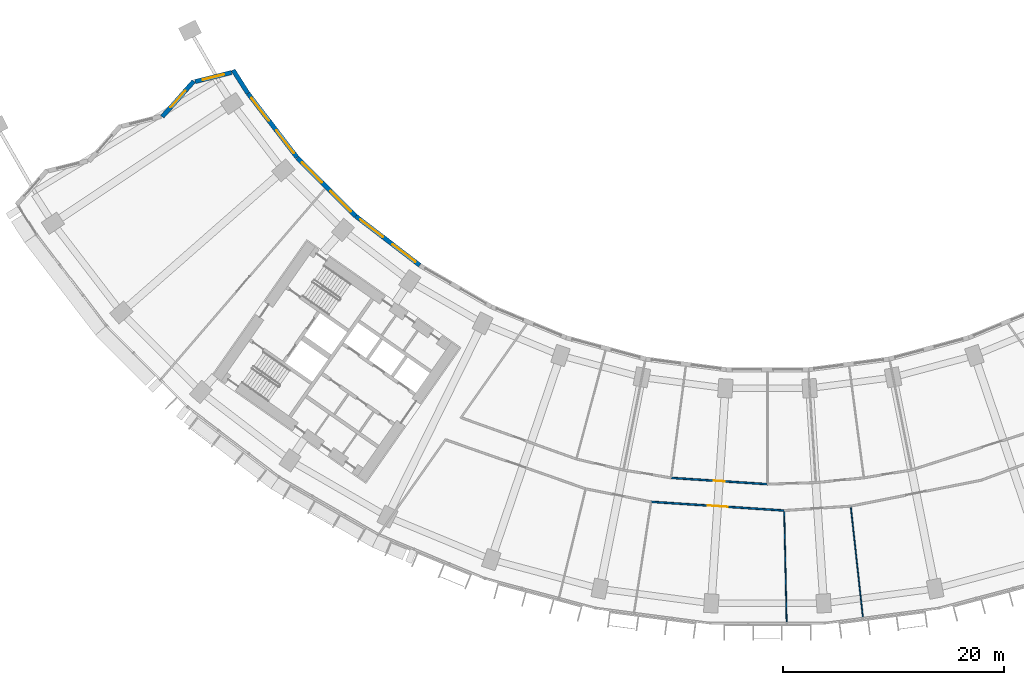
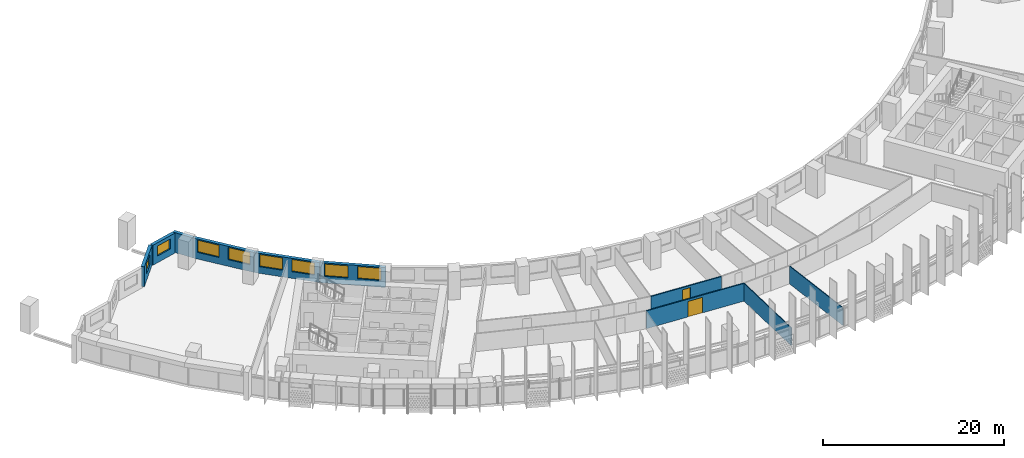
# One storey, part 5 of 33: 10 walls, 8 windows, 2 doors, 10 openings.
"""IFC4 building model written with IfcOpenShell, lengths in metres."""

from ifc_helpers import new_model, si_unit, direction, frame, frame_2d, origin, place, context, subcontext, project, spatial, rectangle, extrude, material, layer, layer_set, type_object, element, fill, save


model = new_model("IFC4")

# Units and contexts
model_context = context("Model", 3, precision=1e-05, world=origin(), true_north=direction((0.0, 1.0)))
body_context = subcontext(model_context, "Body", "Model", "MODEL_VIEW")
ifc_project = project(units=[si_unit("LENGTHUNIT", "METRE"), si_unit("AREAUNIT", "SQUARE_METRE"), si_unit("VOLUMEUNIT", "CUBIC_METRE"), si_unit("PLANEANGLEUNIT", "RADIAN"), si_unit("MASSUNIT", "GRAM", prefix="KILO")], contexts=[model_context])

# Site, building, storey
site_placement = place(None, origin())
site = spatial("IfcSite", under=ifc_project, at=site_placement, CompositionType="ELEMENT")
building_placement = place(site_placement, origin())
building = spatial("IfcBuilding", under=site, at=building_placement, Name="Qamariyya Broadcast Tower", CompositionType="ELEMENT")
storey_placement = place(building_placement, frame((0.0, 0.0, 78.5)))
storey = spatial("IfcBuildingStorey", under=building, at=storey_placement, Name="L16", CompositionType="ELEMENT", Elevation=78.5)

# Wall, opening, door
ifc_material_1 = material(Name="Gypsum board partition")
ifc_layer_1 = layer(ifc_material_1, 0.14990234375)
ifc_layer_set_1 = layer_set([ifc_layer_1], Name="Corridor partition 150 EI 60")
wall_type_1 = type_object("IfcWallType", Name="Corridor partition 150 EI 60", PredefinedType="PARTITIONING", material=ifc_layer_set_1)
wall_1_placement = place(storey_placement, frame((1.511474609375, -69.18359375, 0.0), z_axis=(0.0, 0.0, 1.0), x_axis=(-0.997858140049, 0.065415077291, 0.0)))
wall_1 = element("IfcWall", 1, at=wall_1_placement, inside=storey, type_object=wall_type_1, Name="Partition L16-013", PredefinedType="PARTITIONING", context=body_context, shape_type="SweptSolid", body=[
    extrude(rectangle(XDim=12.066162109375, YDim=0.14990234375, at=frame_2d((6.033203125, 0.0))), origin(), (0.0, 0.0, 1.0), 2.39990234375),
])
opening_1_placement = place(wall_1_placement, frame((5.133056640625, 0.0, 0.0)))
opening_1 = element("IfcOpeningElement", 2, at=opening_1_placement, cuts=wall_1, Name="Opening L16-D03", PredefinedType="OPENING", context=body_context, shape_type="SweptSolid", body=[
    extrude(rectangle(XDim=1.800048828125, YDim=2.10009765625, at=frame_2d((0.89990234375, 1.050048828125))), frame((0.0, 0.0849609375, 0.0), z_axis=(0.0, -1.0, 0.0), x_axis=(1.0, 0.0, 0.0)), (0.0, 0.0, 1.0), 0.169921875),
])
ifc_material_2 = material(Name="Timber fire door leaf", Category="wood")
door_type_1 = type_object("IfcDoorType", Name="Double fire door 1800 x 2100 FD60", OperationType="NOTDEFINED", PredefinedType="DOOR", material=ifc_material_2)
door_1_placement = place(opening_1_placement, origin())
door_1 = element("IfcDoor", 3, at=door_1_placement, inside=storey, type_object=door_type_1, Name="Door L16-D03", OperationType="DOUBLE_DOOR_SINGLE_SWING", OverallHeight=2.10009765625, OverallWidth=1.800048828125, PredefinedType="DOOR", context=body_context, shape_type="SweptSolid", body=[
    extrude(rectangle(XDim=1.800048828125, YDim=2.10009765625, at=frame_2d((0.89990234375, 1.050048828125))), frame((0.0, 0.02490234375, 0.0), z_axis=(0.0, -1.0, 0.0), x_axis=(1.0, 0.0, 0.0)), (0.0, 0.0, 1.0), 0.050048828125),
])
fill(opening_1, door_1)

wall_2_placement = place(storey_placement, frame((-8.71923828125, -66.228515625, 0.0), z_axis=(0.0, 0.0, 1.0), x_axis=(0.997858593599, -0.065408158359, 0.0)))
wall_2 = element("IfcWall", 4, at=wall_2_placement, inside=storey, type_object=wall_type_1, Name="Partition L16-014", PredefinedType="PARTITIONING", context=body_context, shape_type="SweptSolid", body=[
    extrude(rectangle(XDim=8.738037109375, YDim=0.14990234375, at=frame_2d((4.369140625, 0.0))), origin(), (0.0, 0.0, 1.0), 2.39990234375),
])
opening_2_placement = place(wall_2_placement, frame((3.868896484375, 0.0, 0.0)))
opening_2 = element("IfcOpeningElement", 5, at=opening_2_placement, cuts=wall_2, Name="Opening L16-D09", PredefinedType="OPENING", context=body_context, shape_type="SweptSolid", body=[
    extrude(rectangle(XDim=1.0, YDim=2.10009765625, at=frame_2d((0.5, 1.050048828125))), frame((0.0, 0.0849609375, 0.0), z_axis=(0.0, -1.0, 0.0), x_axis=(1.0, 0.0, 0.0)), (0.0, 0.0, 1.0), 0.169921875),
])
door_type_2 = type_object("IfcDoorType", Name="Fire door 1000 x 2100 FD60", OperationType="NOTDEFINED", PredefinedType="DOOR", material=ifc_material_2)
door_2_placement = place(opening_2_placement, origin())
door_2 = element("IfcDoor", 6, at=door_2_placement, inside=storey, type_object=door_type_2, Name="Door L16-D09", OperationType="SINGLE_SWING_RIGHT", OverallHeight=2.10009765625, OverallWidth=1.0, PredefinedType="DOOR", context=body_context, shape_type="SweptSolid", body=[
    extrude(rectangle(XDim=1.0, YDim=2.10009765625, at=frame_2d((0.5, 1.050048828125))), frame((0.0, 0.02490234375, 0.0), z_axis=(0.0, -1.0, 0.0), x_axis=(1.0, 0.0, 0.0)), (0.0, 0.0, 1.0), 0.050048828125),
])
fill(opening_2, door_2)

# Walls
ifc_layer_2 = layer(ifc_material_1, 0.10009765625)
ifc_layer_set_2 = layer_set([ifc_layer_2], Name="Partition 100")
wall_type_2 = type_object("IfcWallType", Name="Partition 100", PredefinedType="PARTITIONING", material=ifc_layer_set_2)
for number, where, z_axis, x_axis, name in (
    (7, (1.732177734375, -79.279541015625, 0.0), (0.0, 0.0, 1.0), (-0.021848313685, 0.999761297105, 0.0), "Partition L16-019"),
    (8, (8.630859375, -78.827392578125, 0.0), (0.0, 0.0, 1.0), (-0.108851448718, 0.994058027538, 0.0), "Partition L16-024"),
):
    element("IfcWall", number, at=place(storey_placement, frame(where, z_axis=z_axis, x_axis=x_axis)), inside=storey, type_object=wall_type_2, Name=name, PredefinedType="PARTITIONING", context=body_context, shape_type="SweptSolid", body=[
        extrude(rectangle(XDim=10.0234375, YDim=0.10009765625, at=frame_2d((5.01171875, 0.0))), origin(), (0.0, 0.0, 1.0), 2.39990234375),
    ])

# Wall, opening, window
ifc_material_3 = material(Name="Terracotta", Category="masonry")
ifc_layer_3 = layer(ifc_material_3, 0.39990234375)
ifc_layer_set_3 = layer_set([ifc_layer_3], Name="Terracotta clad wall 400")
wall_type_3 = type_object("IfcWallType", Name="Terracotta clad wall 400", PredefinedType="SOLIDWALL", material=ifc_layer_set_3)
wall_3_placement = place(storey_placement, frame((-48.4892578125, -29.552978515625, 0.0), z_axis=(0.0, 0.0, 1.0), x_axis=(-0.97001118704, -0.243060274454, 0.0)))
wall_3 = element("IfcWall", 9, at=wall_3_placement, inside=storey, type_object=wall_type_3, Name="e-wl-L16-capW0", PredefinedType="SOLIDWALL", context=body_context, shape_type="SweptSolid", body=[
    extrude(rectangle(XDim=3.39404296875, YDim=0.39990234375, at=frame_2d((1.697021484375, 0.0))), origin(), (0.0, 0.0, 1.0), 2.699951171875),
])
opening_3_placement = place(wall_3_placement, frame((0.697021484375, 0.0, 0.89990234375)))
opening_3 = element("IfcOpeningElement", 10, at=opening_3_placement, cuts=wall_3, Name="Opening W4", PredefinedType="OPENING", context=body_context, shape_type="SweptSolid", body=[
    extrude(rectangle(XDim=2.0, YDim=1.35009765625, at=frame_2d((1.0, 0.675048828125))), frame((0.0, 0.2099609375, 0.0), z_axis=(0.0, -1.0, 0.0), x_axis=(1.0, 0.0, 0.0)), (0.0, 0.0, 1.0), 0.419921875),
])
ifc_material_4 = material(Name="Clear low-e double glazed unit in aluminium frame", Category="aluminium")
window_type_1 = type_object("IfcWindowType", Name="Horn bay window 2000 x 1350", PartitioningType="SINGLE_PANEL", PredefinedType="WINDOW", material=ifc_material_4)
window_1_placement = place(opening_3_placement, origin())
window_1 = element("IfcWindow", 11, at=window_1_placement, inside=storey, type_object=window_type_1, Name="e-w-L16-capW0", OverallHeight=1.35009765625, OverallWidth=2.0, PartitioningType="SINGLE_PANEL", PredefinedType="WINDOW", context=body_context, shape_type="SweptSolid", body=[
    extrude(rectangle(XDim=2.0, YDim=1.35009765625, at=frame_2d((1.0, 0.675048828125))), frame((0.0, 0.030029296875, 0.0), z_axis=(0.0, -1.0, 0.0), x_axis=(1.0, 0.0, 0.0)), (0.0, 0.0, 1.0), 0.06005859375),
])
fill(opening_3, window_1)

wall_4_placement = place(storey_placement, frame((-51.90576171875, -30.344970703125, 0.0), z_axis=(0.0, 0.0, 1.0), x_axis=(-0.663831036009, -0.747882581447, 0.0)))
wall_4 = element("IfcWall", 12, at=wall_4_placement, inside=storey, type_object=wall_type_3, Name="e-wl-L16-capW1", PredefinedType="SOLIDWALL", context=body_context, shape_type="SweptSolid", body=[
    extrude(rectangle(XDim=4.2958984375, YDim=0.39990234375, at=frame_2d((2.14794921875, 0.0))), origin(), (0.0, 0.0, 1.0), 2.699951171875),
])
opening_4_placement = place(wall_4_placement, frame((1.14794921875, 0.0, 0.89990234375)))
opening_4 = element("IfcOpeningElement", 13, at=opening_4_placement, cuts=wall_4, Name="Opening W4", PredefinedType="OPENING", context=body_context, shape_type="SweptSolid", body=[
    extrude(rectangle(XDim=2.0, YDim=1.35009765625, at=frame_2d((1.0, 0.675048828125))), frame((0.0, 0.2099609375, 0.0), z_axis=(0.0, -1.0, 0.0), x_axis=(1.0, 0.0, 0.0)), (0.0, 0.0, 1.0), 0.419921875),
])
window_2_placement = place(opening_4_placement, origin())
window_2 = element("IfcWindow", 14, at=window_2_placement, inside=storey, type_object=window_type_1, Name="e-w-L16-capW1", OverallHeight=1.35009765625, OverallWidth=2.0, PartitioningType="SINGLE_PANEL", PredefinedType="WINDOW", context=body_context, shape_type="SweptSolid", body=[
    extrude(rectangle(XDim=2.0, YDim=1.35009765625, at=frame_2d((1.0, 0.675048828125))), frame((0.0, 0.030029296875, 0.0), z_axis=(0.0, -1.0, 0.0), x_axis=(1.0, 0.0, 0.0)), (0.0, 0.0, 1.0), 0.06005859375),
])
fill(opening_4, window_2)

# Wall
wall_5_placement = place(storey_placement, frame((-47.00927734375, -31.433837890625, 0.0), z_axis=(0.0, 0.0, 1.0), x_axis=(-0.5375407981, 0.843237742501, 0.0)))
element("IfcWall", 15, at=wall_5_placement, inside=storey, type_object=wall_type_3, Name="e-wl-L16-in00", PredefinedType="SOLIDWALL", context=body_context, shape_type="SweptSolid", body=[
    extrude(rectangle(XDim=2.492431640625, YDim=0.39990234375, at=frame_2d((1.24609375, 0.0))), origin(), (0.0, 0.0, 1.0), 2.699951171875),
])

# Wall, openings, windows
wall_6_placement = place(storey_placement, frame((-42.5478515625, -37.24609375, 0.0), z_axis=(0.0, 0.0, 1.0), x_axis=(-0.608759636451, 0.793354715766, 0.0)))
wall_6 = element("IfcWall", 16, at=wall_6_placement, inside=storey, type_object=wall_type_3, Name="e-wl-L16-in10", PredefinedType="SOLIDWALL", context=body_context, shape_type="SweptSolid", body=[
    extrude(rectangle(XDim=7.309814453125, YDim=0.39990234375, at=frame_2d((3.65478515625, 0.0))), origin(), (0.0, 0.0, 1.0), 2.699951171875),
])
opening_5_placement = place(wall_6_placement, frame((4.190673828125, 0.0, 0.89990234375)))
opening_5 = element("IfcOpeningElement", 17, at=opening_5_placement, cuts=wall_6, Name="Opening W1", PredefinedType="OPENING", context=body_context, shape_type="SweptSolid", body=[
    extrude(rectangle(XDim=2.60009765625, YDim=1.64990234375, at=frame_2d((1.300048828125, 0.824951171875))), frame((0.0, 0.2099609375, 0.0), z_axis=(0.0, -1.0, 0.0), x_axis=(1.0, 0.0, 0.0)), (0.0, 0.0, 1.0), 0.419921875),
])
opening_6_placement = place(wall_6_placement, frame((0.505126953125, 0.0, 0.89990234375)))
opening_6 = element("IfcOpeningElement", 18, at=opening_6_placement, cuts=wall_6, Name="Opening W1", PredefinedType="OPENING", context=body_context, shape_type="SweptSolid", body=[
    extrude(rectangle(XDim=2.60009765625, YDim=1.64990234375, at=frame_2d((1.300048828125, 0.824951171875))), frame((0.0, 0.2099609375, 0.0), z_axis=(0.0, -1.0, 0.0), x_axis=(1.0, 0.0, 0.0)), (0.0, 0.0, 1.0), 0.419921875),
])
window_type_2 = type_object("IfcWindowType", Name="Ribbon window 2600 x 1650", PartitioningType="SINGLE_PANEL", PredefinedType="WINDOW", material=ifc_material_4)
window_3_placement = place(opening_5_placement, origin())
window_3 = element("IfcWindow", 19, at=window_3_placement, inside=storey, type_object=window_type_2, Name="e-w-L16-in01-0", OverallHeight=1.64990234375, OverallWidth=2.60009765625, PartitioningType="SINGLE_PANEL", PredefinedType="WINDOW", context=body_context, shape_type="SweptSolid", body=[
    extrude(rectangle(XDim=2.60009765625, YDim=1.64990234375, at=frame_2d((1.300048828125, 0.824951171875))), frame((0.0, 0.030029296875, 0.0), z_axis=(0.0, -1.0, 0.0), x_axis=(1.0, 0.0, 0.0)), (0.0, 0.0, 1.0), 0.06005859375),
])
fill(opening_5, window_3)
window_4_placement = place(opening_6_placement, origin())
window_4 = element("IfcWindow", 20, at=window_4_placement, inside=storey, type_object=window_type_2, Name="e-w-L16-in01-1", OverallHeight=1.64990234375, OverallWidth=2.60009765625, PartitioningType="SINGLE_PANEL", PredefinedType="WINDOW", context=body_context, shape_type="SweptSolid", body=[
    extrude(rectangle(XDim=2.60009765625, YDim=1.64990234375, at=frame_2d((1.300048828125, 0.824951171875))), frame((0.0, 0.030029296875, 0.0), z_axis=(0.0, -1.0, 0.0), x_axis=(1.0, 0.0, 0.0)), (0.0, 0.0, 1.0), 0.06005859375),
])
fill(opening_6, window_4)

wall_7_placement = place(storey_placement, frame((-37.2685546875, -42.534423828125, 0.0), z_axis=(0.0, 0.0, 1.0), x_axis=(-0.707106781187, 0.707106781187, 0.0)))
wall_7 = element("IfcWall", 21, at=wall_7_placement, inside=storey, type_object=wall_type_3, Name="e-wl-L16-in20", PredefinedType="SOLIDWALL", context=body_context, shape_type="SweptSolid", body=[
    extrude(rectangle(XDim=7.447021484375, YDim=0.39990234375, at=frame_2d((3.7236328125, 0.0))), origin(), (0.0, 0.0, 1.0), 2.699951171875),
])
opening_7_placement = place(wall_7_placement, frame((4.266357421875, 0.0, 0.89990234375)))
opening_7 = element("IfcOpeningElement", 22, at=opening_7_placement, cuts=wall_7, Name="Opening W1", PredefinedType="OPENING", context=body_context, shape_type="SweptSolid", body=[
    extrude(rectangle(XDim=2.60009765625, YDim=1.64990234375, at=frame_2d((1.300048828125, 0.824951171875))), frame((0.0, 0.2099609375, 0.0), z_axis=(0.0, -1.0, 0.0), x_axis=(1.0, 0.0, 0.0)), (0.0, 0.0, 1.0), 0.419921875),
])
opening_8_placement = place(wall_7_placement, frame((0.580810546875, 0.0, 0.89990234375)))
opening_8 = element("IfcOpeningElement", 23, at=opening_8_placement, cuts=wall_7, Name="Opening W1", PredefinedType="OPENING", context=body_context, shape_type="SweptSolid", body=[
    extrude(rectangle(XDim=2.60009765625, YDim=1.64990234375, at=frame_2d((1.300048828125, 0.824951171875))), frame((0.0, 0.2099609375, 0.0), z_axis=(0.0, -1.0, 0.0), x_axis=(1.0, 0.0, 0.0)), (0.0, 0.0, 1.0), 0.419921875),
])
window_5_placement = place(opening_7_placement, origin())
window_5 = element("IfcWindow", 24, at=window_5_placement, inside=storey, type_object=window_type_2, Name="e-w-L16-in02-0", OverallHeight=1.64990234375, OverallWidth=2.60009765625, PartitioningType="SINGLE_PANEL", PredefinedType="WINDOW", context=body_context, shape_type="SweptSolid", body=[
    extrude(rectangle(XDim=2.60009765625, YDim=1.64990234375, at=frame_2d((1.300048828125, 0.824951171875))), frame((0.0, 0.030029296875, 0.0), z_axis=(0.0, -1.0, 0.0), x_axis=(1.0, 0.0, 0.0)), (0.0, 0.0, 1.0), 0.06005859375),
])
fill(opening_7, window_5)
window_6_placement = place(opening_8_placement, origin())
window_6 = element("IfcWindow", 25, at=window_6_placement, inside=storey, type_object=window_type_2, Name="e-w-L16-in02-1", OverallHeight=1.64990234375, OverallWidth=2.60009765625, PartitioningType="SINGLE_PANEL", PredefinedType="WINDOW", context=body_context, shape_type="SweptSolid", body=[
    extrude(rectangle(XDim=2.60009765625, YDim=1.64990234375, at=frame_2d((1.300048828125, 0.824951171875))), frame((0.0, 0.030029296875, 0.0), z_axis=(0.0, -1.0, 0.0), x_axis=(1.0, 0.0, 0.0)), (0.0, 0.0, 1.0), 0.06005859375),
])
fill(opening_8, window_6)

wall_8_placement = place(storey_placement, frame((-31.4580078125, -46.989013671875, 0.0), z_axis=(0.0, 0.0, 1.0), x_axis=(-0.79336607943, 0.60874482668, 0.0)))
wall_8 = element("IfcWall", 26, at=wall_8_placement, inside=storey, type_object=wall_type_3, Name="e-wl-L16-in30", PredefinedType="SOLIDWALL", context=body_context, shape_type="SweptSolid", body=[
    extrude(rectangle(XDim=7.295654296875, YDim=0.39990234375, at=frame_2d((3.64794921875, 0.0))), origin(), (0.0, 0.0, 1.0), 2.699951171875),
])
opening_9_placement = place(wall_8_placement, frame((4.190673828125, 0.0, 0.89990234375)))
opening_9 = element("IfcOpeningElement", 27, at=opening_9_placement, cuts=wall_8, Name="Opening W1", PredefinedType="OPENING", context=body_context, shape_type="SweptSolid", body=[
    extrude(rectangle(XDim=2.60009765625, YDim=1.64990234375, at=frame_2d((1.300048828125, 0.824951171875))), frame((0.0, 0.2099609375, 0.0), z_axis=(0.0, -1.0, 0.0), x_axis=(1.0, 0.0, 0.0)), (0.0, 0.0, 1.0), 0.419921875),
])
opening_10_placement = place(wall_8_placement, frame((0.505126953125, 0.0, 0.89990234375)))
opening_10 = element("IfcOpeningElement", 28, at=opening_10_placement, cuts=wall_8, Name="Opening W1", PredefinedType="OPENING", context=body_context, shape_type="SweptSolid", body=[
    extrude(rectangle(XDim=2.60009765625, YDim=1.64990234375, at=frame_2d((1.300048828125, 0.824951171875))), frame((0.0, 0.2099609375, 0.0), z_axis=(0.0, -1.0, 0.0), x_axis=(1.0, 0.0, 0.0)), (0.0, 0.0, 1.0), 0.419921875),
])
window_7_placement = place(opening_9_placement, origin())
window_7 = element("IfcWindow", 29, at=window_7_placement, inside=storey, type_object=window_type_2, Name="e-w-L16-in03-0", OverallHeight=1.64990234375, OverallWidth=2.60009765625, PartitioningType="SINGLE_PANEL", PredefinedType="WINDOW", context=body_context, shape_type="SweptSolid", body=[
    extrude(rectangle(XDim=2.60009765625, YDim=1.64990234375, at=frame_2d((1.300048828125, 0.824951171875))), frame((0.0, 0.030029296875, 0.0), z_axis=(0.0, -1.0, 0.0), x_axis=(1.0, 0.0, 0.0)), (0.0, 0.0, 1.0), 0.06005859375),
])
fill(opening_9, window_7)
window_8_placement = place(opening_10_placement, origin())
window_8 = element("IfcWindow", 30, at=window_8_placement, inside=storey, type_object=window_type_2, Name="e-w-L16-in03-1", OverallHeight=1.64990234375, OverallWidth=2.60009765625, PartitioningType="SINGLE_PANEL", PredefinedType="WINDOW", context=body_context, shape_type="SweptSolid", body=[
    extrude(rectangle(XDim=2.60009765625, YDim=1.64990234375, at=frame_2d((1.300048828125, 0.824951171875))), frame((0.0, 0.030029296875, 0.0), z_axis=(0.0, -1.0, 0.0), x_axis=(1.0, 0.0, 0.0)), (0.0, 0.0, 1.0), 0.06005859375),
])
fill(opening_10, window_8)

save(model, "model.ifc")
